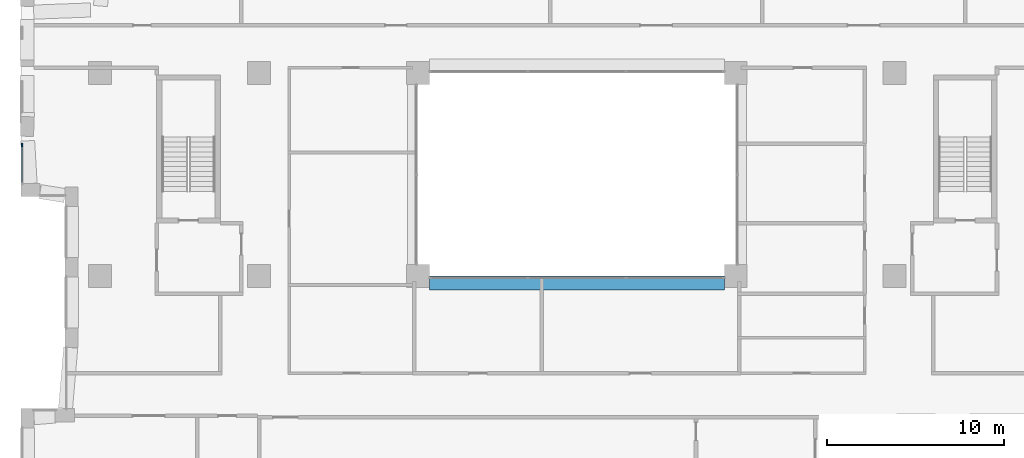
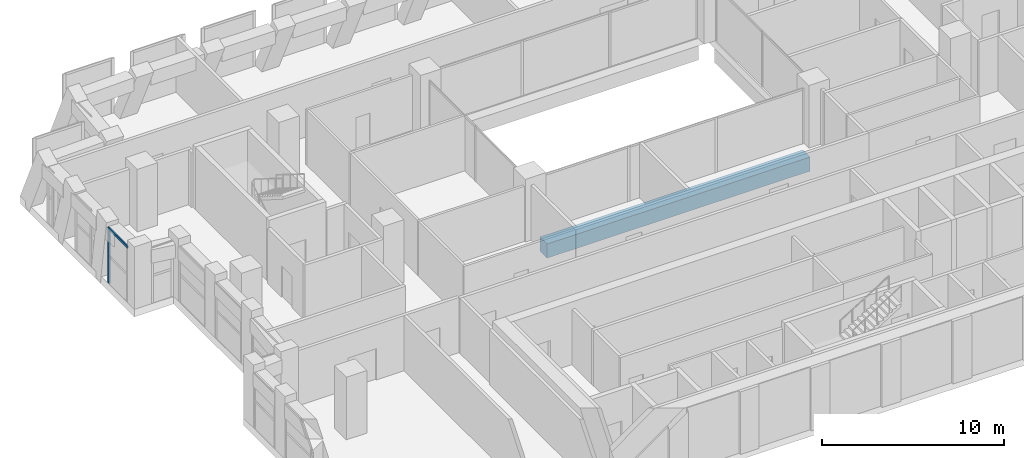
# One storey, part 3 of 20: 2 members, 1 beam, 1 element without a shape of its own.
"""IFC4 building model written with IfcOpenShell, lengths in metres."""

from ifc_helpers import new_model, si_unit, direction, frame, origin, origin_2d, place, context, subcontext, project, spatial, rectangle, extrude, material, layer, layer_set, material_profile, profile_set, type_object, element, aggregate, save


model = new_model("IFC4")

# Units and contexts
model_context = context("Model", 3, precision=1e-05, world=origin(), true_north=direction((0.0, 1.0)))
body_context = subcontext(model_context, "Body", "Model", "MODEL_VIEW")
ifc_project = project(units=[si_unit("LENGTHUNIT", "METRE"), si_unit("AREAUNIT", "SQUARE_METRE"), si_unit("VOLUMEUNIT", "CUBIC_METRE"), si_unit("PLANEANGLEUNIT", "RADIAN"), si_unit("MASSUNIT", "GRAM", prefix="KILO")], contexts=[model_context])

# Site, building, storey
site_placement = place(None, origin())
site = spatial("IfcSite", under=ifc_project, at=site_placement, CompositionType="ELEMENT")
building_placement = place(site_placement, origin())
building = spatial("IfcBuilding", under=site, at=building_placement, Name="Brigalow Station Residences", CompositionType="ELEMENT")
storey_placement = place(building_placement, frame((0.0, 0.0, 137.10009765625)))
storey = spatial("IfcBuildingStorey", under=building, at=storey_placement, Name="L39", CompositionType="ELEMENT", Elevation=137.10009765625)

# Beam
ifc_material_1 = material(Name="Concrete C65", Category="concrete")
ifc_material_profile_1 = material_profile(ifc_material_1, rectangle(XDim=0.800048828125, YDim=0.949951171875, at=origin_2d()), Name="RC800x950")
ifc_profile_set_1 = profile_set([ifc_material_profile_1], Name="Concrete C65")
beam_type = type_object("IfcBeamType", Name="ATRIUM EDGE GIRDER OVER 13.5 M SPAN 800x950 C65", PredefinedType="BEAM", material=ifc_profile_set_1)
beam_placement = place(storey_placement, frame((27.64990234375, 23.60009765625, -0.97509765625), z_axis=(1.0, 0.0, 0.0), x_axis=(0.0, 1.0, 0.0)))
element("IfcBeam", 1, at=beam_placement, inside=storey, type_object=beam_type, Name="ATRIUM EDGE GIRDER C L39", PredefinedType="BEAM", context=body_context, shape_type="SweptSolid", body=[
    extrude(rectangle(XDim=0.800048828125, YDim=0.949951171875, at=origin_2d()), origin(), (0.0, 0.0, 1.0), 16.7001953125),
])

# Curtain wall, members
ifc_material_2 = material(Name="Aluminium", Category="aluminium")
ifc_layer = layer(ifc_material_2, 0.199951171875)
ifc_layer_set = layer_set([ifc_layer], Name="REFUGE FLOOR LOUVRE CURTAIN WALL")
curtain_wall_type = type_object("IfcCurtainWallType", Name="REFUGE FLOOR LOUVRE CURTAIN WALL", PredefinedType="NOTDEFINED", material=ifc_layer_set)
curtain_wall_placement = place(storey_placement, origin())
curtain_wall = element("IfcCurtainWall", 2, at=curtain_wall_placement, inside=storey, type_object=curtain_wall_type, Name="L39/cw/louvre-W-L39-39-38", PredefinedType="NOTDEFINED")
ifc_material_3 = material(Name="Aluminium", Category="aluminium")
ifc_material_profile_2 = material_profile(ifc_material_3, rectangle(XDim=0.080078125, YDim=0.199951171875, at=origin_2d()), Name="REFUGE FLOOR LOUVRE MULLION 80x200")
ifc_profile_set_2 = profile_set([ifc_material_profile_2], Name="Aluminium")
member_type_1 = type_object("IfcMemberType", Name="REFUGE FLOOR LOUVRE MULLION 80x200", PredefinedType="MULLION", material=ifc_profile_set_2)
member_1_placement = place(storey_placement, frame((4.574951171875, 31.4208984375, 0.0), z_axis=(0.0, 0.0, 1.0), x_axis=(1.0, 0.0, 0.0)))
member_1 = element("IfcMember", 3, at=member_1_placement, type_object=member_type_1, Name="L39/cw/louvre-W-L39-39-38/M00", PredefinedType="MULLION", context=body_context, shape_type="SweptSolid", body=[
    extrude(rectangle(XDim=0.080078125, YDim=0.199951171875, at=origin_2d()), origin(), (0.0, 0.0, 1.0), 3.699951171875),
])
ifc_material_4 = material(Name="Aluminium", Category="aluminium")
ifc_material_profile_3 = material_profile(ifc_material_4, rectangle(XDim=0.080078125, YDim=0.14990234375, at=origin_2d()), Name="REFUGE FLOOR LOUVRE TRANSOM 80x150")
ifc_profile_set_3 = profile_set([ifc_material_profile_3], Name="Aluminium")
member_type_2 = type_object("IfcMemberType", Name="REFUGE FLOOR LOUVRE TRANSOM 80x150", PredefinedType="USERDEFINED", material=ifc_profile_set_3)
member_2_placement = place(storey_placement, frame((4.574951171875, 31.380859375, 3.659912109375), z_axis=(0.0, -1.0, 0.0), x_axis=(1.0, 0.0, 0.0)))
member_2 = element("IfcMember", 4, at=member_2_placement, type_object=member_type_2, Name="L39/cw/louvre-W-L39-39-38/T00-01", ObjectType="TRANSOM", PredefinedType="USERDEFINED", context=body_context, shape_type="SweptSolid", body=[
    extrude(rectangle(XDim=0.080078125, YDim=0.14990234375, at=origin_2d()), origin(), (0.0, 0.0, 1.0), 2.05078125),
])
aggregate(curtain_wall, [member_1, member_2])

save(model, "model.ifc")
